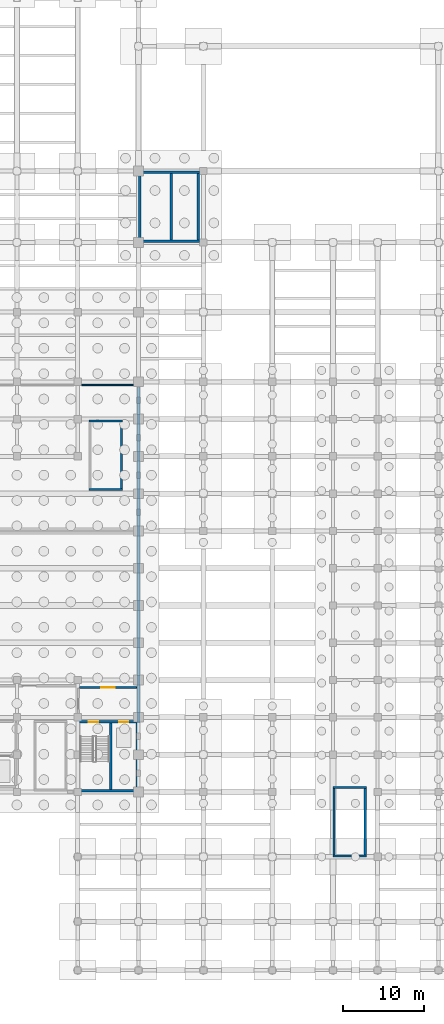
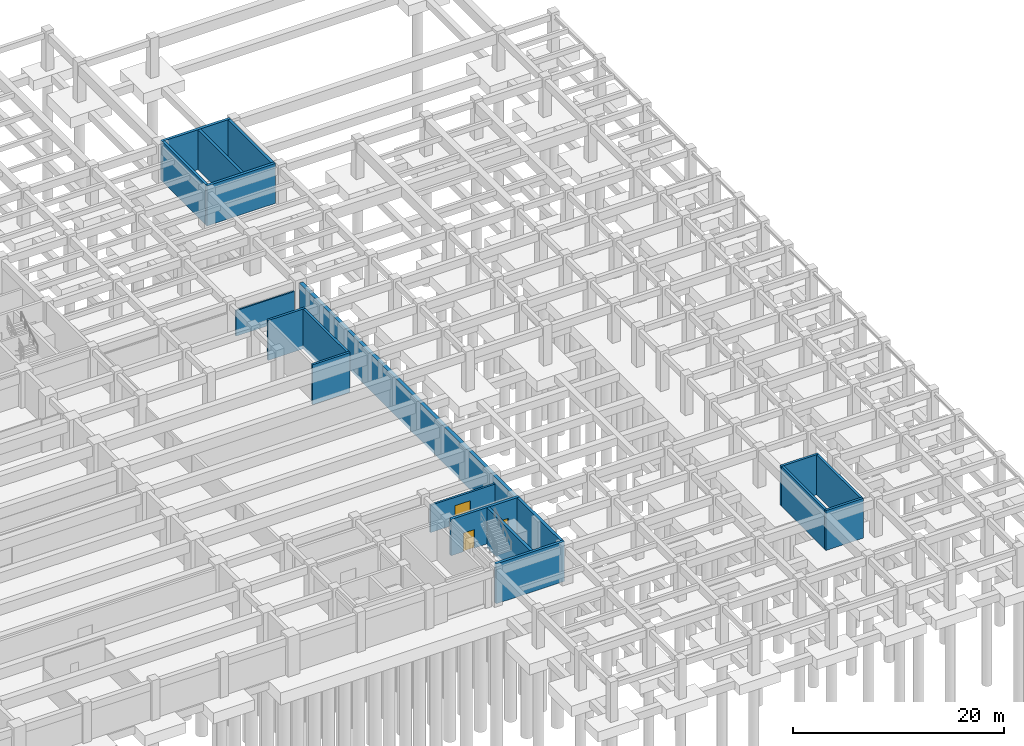
# One storey, part 26 of 32: 19 walls, 3 doors, 3 openings.
"""IFC4 building model written with IfcOpenShell, lengths in metres."""

from ifc_helpers import new_model, si_unit, direction, frame, frame_2d, origin, place, context, subcontext, project, spatial, rectangle, extrude, material, layer, layer_set, type_object, element, fill, save


model = new_model("IFC4")

# Units and contexts
model_context = context("Model", 3, precision=1e-05, world=origin(), true_north=direction((0.0, 1.0)))
body_context = subcontext(model_context, "Body", "Model", "MODEL_VIEW")
ifc_project = project(units=[si_unit("LENGTHUNIT", "METRE"), si_unit("AREAUNIT", "SQUARE_METRE"), si_unit("VOLUMEUNIT", "CUBIC_METRE"), si_unit("PLANEANGLEUNIT", "RADIAN"), si_unit("MASSUNIT", "GRAM", prefix="KILO")], contexts=[model_context])

# Site, building, storey
site_placement = place(None, origin())
site = spatial("IfcSite", under=ifc_project, at=site_placement, CompositionType="ELEMENT")
building_placement = place(site_placement, origin())
building = spatial("IfcBuilding", under=site, at=building_placement, Name="Muzn Square Opera House", CompositionType="ELEMENT")
storey_placement = place(building_placement, frame((0.0, 0.0, -4.199951171875)))
storey = spatial("IfcBuildingStorey", under=building, at=storey_placement, Name="B1", CompositionType="ELEMENT", Elevation=-4.199951171875)

# Walls
ifc_material_1 = material(Name="Concrete C45/55", Category="concrete")
ifc_layer_1 = layer(ifc_material_1, 0.3798828125, Name="Concrete C45/55", Category="concrete")
ifc_layer_set_1 = layer_set([ifc_layer_1], Name="Concrete C45/55")
wall_type_1 = type_object("IfcWallType", Name="Basement Retaining Wall 380mm", PredefinedType="SHEAR", material=ifc_layer_set_1)
wall_1_placement = place(storey_placement, frame((133.0, 30.52001953125, -0.420166015625), z_axis=(0.0, 0.0, 1.0), x_axis=(0.0, 1.0, 0.0)))
element("IfcWall", 1, at=wall_1_placement, inside=storey, type_object=wall_type_1, Name="Basement Retaining Wall RET-B1-ES", PredefinedType="SHEAR", context=body_context, shape_type="SweptSolid", body=[
    extrude(rectangle(XDim=41.429931640625, YDim=0.3798828125, at=frame_2d((20.71484375, 0.0))), origin(), (0.0, 0.0, 1.0), 4.300048828125),
])
ifc_layer_2 = layer(ifc_material_1, 0.300048828125, Name="Concrete C45/55", Category="concrete")
ifc_layer_set_2 = layer_set([ifc_layer_2], Name="Concrete C45/55")
wall_type_2 = type_object("IfcWallType", Name="Core Shear Wall 300mm", PredefinedType="SHEAR", material=ifc_layer_set_2)
wall_2_placement = place(storey_placement, frame((125.5, 22.14990234375, -0.420166015625), z_axis=(0.0, 0.0, 1.0), x_axis=(1.0, 0.0, 0.0)))
element("IfcWall", 2, at=wall_2_placement, inside=storey, type_object=wall_type_2, Name="Core C4 Shear Wall SW-C4-B1-S", PredefinedType="SHEAR", context=body_context, shape_type="SweptSolid", body=[
    extrude(rectangle(XDim=7.5, YDim=0.300048828125, at=frame_2d((3.75, 0.0))), origin(), (0.0, 0.0, 1.0), 4.6201171875),
])
for number, where, z_axis, x_axis, name in (
    (3, (132.85009765625, 22.300048828125, -0.420166015625), (0.0, 0.0, 1.0), (0.0, 1.0, 0.0), "Core C4 Shear Wall SW-C4-B1-E"),
    (4, (129.550048828125, 22.300048828125, -0.420166015625), (0.0, 0.0, 1.0), (0.0, 1.0, 0.0), "Core C4 Shear Wall SW-C4-B1-DIV"),
):
    element("IfcWall", number, at=place(storey_placement, frame(where, z_axis=z_axis, x_axis=x_axis)), inside=storey, type_object=wall_type_2, Name=name, PredefinedType="SHEAR", context=body_context, shape_type="SweptSolid", body=[
        extrude(rectangle(XDim=8.199951171875, YDim=0.300048828125, at=frame_2d((4.10009765625, 0.0))), origin(), (0.0, 0.0, 1.0), 4.6201171875),
    ])
wall_3_placement = place(storey_placement, frame((133.0, 98.449951171875, -0.420166015625), z_axis=(0.0, 0.0, 1.0), x_axis=(1.0, 0.0, 0.0)))
element("IfcWall", 5, at=wall_3_placement, inside=storey, type_object=wall_type_2, Name="Core C5 Shear Wall SW-C5-B1-N", PredefinedType="SHEAR", context=body_context, shape_type="SweptSolid", body=[
    extrude(rectangle(XDim=7.5, YDim=0.300048828125, at=frame_2d((3.75, 0.0))), origin(), (0.0, 0.0, 1.0), 4.6201171875),
])
for number, where, z_axis, x_axis, name in (
    (6, (133.14990234375, 90.10009765625, -0.420166015625), (0.0, 0.0, 1.0), (0.0, 1.0, 0.0), "Core C5 Shear Wall SW-C5-B1-W"),
    (7, (140.35009765625, 90.10009765625, -0.420166015625), (0.0, 0.0, 1.0), (0.0, 1.0, 0.0), "Core C5 Shear Wall SW-C5-B1-E"),
    (8, (137.050048828125, 90.10009765625, -0.420166015625), (0.0, 0.0, 1.0), (0.0, 1.0, 0.0), "Core C5 Shear Wall SW-C5-B1-DIV"),
):
    element("IfcWall", number, at=place(storey_placement, frame(where, z_axis=z_axis, x_axis=x_axis)), inside=storey, type_object=wall_type_2, Name=name, PredefinedType="SHEAR", context=body_context, shape_type="SweptSolid", body=[
        extrude(rectangle(XDim=8.199951171875, YDim=0.300048828125, at=frame_2d((4.10009765625, 0.0))), origin(), (0.0, 0.0, 1.0), 4.6201171875),
    ])
wall_4_placement = place(storey_placement, frame((133.0, 89.949951171875, -0.420166015625), z_axis=(0.0, 0.0, 1.0), x_axis=(1.0, 0.0, 0.0)))
element("IfcWall", 9, at=wall_4_placement, inside=storey, type_object=wall_type_2, Name="Core C5 Shear Wall SW-C5-B1-FRONT", PredefinedType="SHEAR", context=body_context, shape_type="SweptSolid", body=[
    extrude(rectangle(XDim=7.5, YDim=0.300048828125, at=frame_2d((3.75, 0.0))), origin(), (0.0, 0.0, 1.0), 4.6201171875),
])
wall_5_placement = place(storey_placement, frame((157.0, 14.125, -0.420166015625), z_axis=(0.0, 0.0, 1.0), x_axis=(1.0, 0.0, 0.0)))
element("IfcWall", 10, at=wall_5_placement, inside=storey, type_object=wall_type_2, Name="Escape Stair ST-8 Substructure Wall S", PredefinedType="SHEAR", context=body_context, shape_type="SweptSolid", body=[
    extrude(rectangle(XDim=4.10009765625, YDim=0.25, at=frame_2d((2.050048828125, 0.0))), origin(), (0.0, 0.0, 1.0), 4.6201171875),
])
for number, where, z_axis, x_axis, name in (
    (11, (157.125, 14.25, -0.420166015625), (0.0, 0.0, 1.0), (0.0, 1.0, 0.0), "Escape Stair ST-8 Substructure Wall W"),
    (12, (160.97509765625, 14.25, -0.420166015625), (0.0, 0.0, 1.0), (0.0, 1.0, 0.0), "Escape Stair ST-8 Substructure Wall E"),
):
    element("IfcWall", number, at=place(storey_placement, frame(where, z_axis=z_axis, x_axis=x_axis)), inside=storey, type_object=wall_type_2, Name=name, PredefinedType="SHEAR", context=body_context, shape_type="SweptSolid", body=[
        extrude(rectangle(XDim=8.199951171875, YDim=0.25, at=frame_2d((4.10009765625, 0.0))), origin(), (0.0, 0.0, 1.0), 4.6201171875),
    ])
for number, where, z_axis, x_axis, name in (
    (13, (157.0, 22.574951171875, -0.420166015625), (0.0, 0.0, 1.0), (1.0, 0.0, 0.0), "Escape Stair ST-8 Substructure Wall N"),
    (14, (126.89990234375, 59.324951171875, -0.420166015625), (0.0, 0.0, 1.0), (1.0, 0.0, 0.0), "Escape Stair ST-10 Substructure Wall S"),
):
    element("IfcWall", number, at=place(storey_placement, frame(where, z_axis=z_axis, x_axis=x_axis)), inside=storey, type_object=wall_type_2, Name=name, PredefinedType="SHEAR", context=body_context, shape_type="SweptSolid", body=[
        extrude(rectangle(XDim=4.10009765625, YDim=0.25, at=frame_2d((2.050048828125, 0.0))), origin(), (0.0, 0.0, 1.0), 4.6201171875),
    ])
wall_6_placement = place(storey_placement, frame((130.875, 59.449951171875, -0.420166015625), z_axis=(0.0, 0.0, 1.0), x_axis=(0.0, 1.0, 0.0)))
element("IfcWall", 15, at=wall_6_placement, inside=storey, type_object=wall_type_2, Name="Escape Stair ST-10 Substructure Wall E", PredefinedType="SHEAR", context=body_context, shape_type="SweptSolid", body=[
    extrude(rectangle(XDim=8.199951171875, YDim=0.25, at=frame_2d((4.10009765625, 0.0))), origin(), (0.0, 0.0, 1.0), 4.6201171875),
])
wall_7_placement = place(storey_placement, frame((126.89990234375, 67.77490234375, -0.420166015625), z_axis=(0.0, 0.0, 1.0), x_axis=(1.0, 0.0, 0.0)))
element("IfcWall", 16, at=wall_7_placement, inside=storey, type_object=wall_type_2, Name="Escape Stair ST-10 Substructure Wall N", PredefinedType="SHEAR", context=body_context, shape_type="SweptSolid", body=[
    extrude(rectangle(XDim=4.10009765625, YDim=0.25, at=frame_2d((2.050048828125, 0.0))), origin(), (0.0, 0.0, 1.0), 4.6201171875),
])

# Wall, openings, doors
wall_8_placement = place(storey_placement, frame((125.5, 30.64990234375, 0.0), z_axis=(0.0, 0.0, 1.0), x_axis=(1.0, 0.0, 0.0)))
wall_8 = element("IfcWall", 17, at=wall_8_placement, inside=storey, type_object=wall_type_2, Name="Core C4 Front Shear Wall B1", PredefinedType="SHEAR", context=body_context, shape_type="SweptSolid", body=[
    extrude(rectangle(XDim=7.5, YDim=0.300048828125, at=frame_2d((3.75, 0.0))), origin(), (0.0, 0.0, 1.0), 4.199951171875),
])
opening_1_placement = place(wall_8_placement, frame((1.35009765625, 0.0, 0.0)))
opening_1 = element("IfcOpeningElement", 18, at=opening_1_placement, cuts=wall_8, Name="Opening DR-ST12", PredefinedType="OPENING", context=body_context, shape_type="SweptSolid", body=[
    extrude(rectangle(XDim=1.199951171875, YDim=2.14990234375, at=frame_2d((0.60009765625, 1.074951171875))), frame((0.0, 0.159912109375, 0.0), z_axis=(0.0, -1.0, 0.0), x_axis=(1.0, 0.0, 0.0)), (0.0, 0.0, 1.0), 0.320068359375),
])
opening_2_placement = place(wall_8_placement, frame((5.14990234375, 0.0, 0.0)))
opening_2 = element("IfcOpeningElement", 19, at=opening_2_placement, cuts=wall_8, Name="Opening LD-01", PredefinedType="OPENING", context=body_context, shape_type="SweptSolid", body=[
    extrude(rectangle(XDim=1.10009765625, YDim=2.14990234375, at=frame_2d((0.550048828125, 1.074951171875))), frame((0.0, 0.159912109375, 0.0), z_axis=(0.0, -1.0, 0.0), x_axis=(1.0, 0.0, 0.0)), (0.0, 0.0, 1.0), 0.320068359375),
])
ifc_material_2 = material(Name="Galvanised painted steel leaf", Category="metal")
door_type_1 = type_object("IfcDoorType", Name="Core Stair Fire Door 1200x2150", OperationType="NOTDEFINED", PredefinedType="DOOR", material=ifc_material_2)
door_1_placement = place(opening_1_placement, origin())
door_1 = element("IfcDoor", 20, at=door_1_placement, inside=storey, type_object=door_type_1, Name="Core C4 Stair Door B1", OperationType="SINGLE_SWING_LEFT", OverallHeight=2.14990234375, OverallWidth=1.199951171875, PredefinedType="DOOR", context=body_context, shape_type="SweptSolid", body=[
    extrude(rectangle(XDim=1.199951171875, YDim=2.14990234375, at=frame_2d((0.60009765625, 1.074951171875))), frame((0.0, 0.02490234375, 0.0), z_axis=(0.0, -1.0, 0.0), x_axis=(1.0, 0.0, 0.0)), (0.0, 0.0, 1.0), 0.050048828125),
])
fill(opening_1, door_1)
ifc_material_3 = material(Name="Brushed stainless steel", Category="metal")
door_type_2 = type_object("IfcDoorType", Name="Lift Landing Sliding Door 1100x2150", OperationType="SLIDING_TO_LEFT", PredefinedType="DOOR", material=ifc_material_3)
door_2_placement = place(opening_2_placement, origin())
door_2 = element("IfcDoor", 21, at=door_2_placement, inside=storey, type_object=door_type_2, Name="Lift PL-3 Sliding Landing Door B1", OperationType="SLIDING_TO_LEFT", OverallHeight=2.14990234375, OverallWidth=1.10009765625, PredefinedType="DOOR", context=body_context, shape_type="SweptSolid", body=[
    extrude(rectangle(XDim=1.10009765625, YDim=2.14990234375, at=frame_2d((0.550048828125, 1.074951171875))), frame((0.0, 0.02490234375, 0.0), z_axis=(0.0, -1.0, 0.0), x_axis=(1.0, 0.0, 0.0)), (0.0, 0.0, 1.0), 0.050048828125),
])
fill(opening_2, door_2)

# Wall, opening, door
ifc_material_4 = material(Name="Concrete C40/50", Category="concrete")
ifc_layer_3 = layer(ifc_material_4, 0.219970703125, Name="Concrete C40/50", Category="concrete")
ifc_layer_set_3 = layer_set([ifc_layer_3], Name="Concrete C40/50")
wall_type_3 = type_object("IfcWallType", Name="Lift Lobby Wall 220mm", PredefinedType="SOLIDWALL", material=ifc_layer_set_3)
wall_9_placement = place(storey_placement, frame((125.719970703125, 34.889892578125, 0.0), z_axis=(0.0, 0.0, 1.0), x_axis=(1.0, 0.0, 0.0)))
wall_9 = element("IfcWall", 22, at=wall_9_placement, inside=storey, type_object=wall_type_3, Name="Lobby C4 Enclosure Wall B1", PredefinedType="SOLIDWALL", context=body_context, shape_type="SweptSolid", body=[
    extrude(rectangle(XDim=7.06005859375, YDim=0.219970703125, at=frame_2d((3.530029296875, 0.0))), origin(), (0.0, 0.0, 1.0), 3.159912109375),
])
opening_3_placement = place(wall_9_placement, frame((2.679931640625, 0.0, 0.0)))
opening_3 = element("IfcOpeningElement", 23, at=opening_3_placement, cuts=wall_9, Name="Opening DR-LL17", PredefinedType="OPENING", context=body_context, shape_type="SweptSolid", body=[
    extrude(rectangle(XDim=1.699951171875, YDim=2.179931640625, at=frame_2d((0.85009765625, 1.08984375))), frame((0.0, 0.119873046875, 0.0), z_axis=(0.0, -1.0, 0.0), x_axis=(1.0, 0.0, 0.0)), (0.0, 0.0, 1.0), 0.239990234375),
])
ifc_material_5 = material(Name="Acoustic hardwood leaf", Category="wood")
door_type_3 = type_object("IfcDoorType", Name="Lift Lobby Double Door 1700x2180", OperationType="DOUBLE_DOOR_SINGLE_SWING", PredefinedType="DOOR", material=ifc_material_5)
door_3_placement = place(opening_3_placement, origin())
door_3 = element("IfcDoor", 24, at=door_3_placement, inside=storey, type_object=door_type_3, Name="Lobby C4 Fire Door B1", OperationType="DOUBLE_DOOR_SINGLE_SWING", OverallHeight=2.179931640625, OverallWidth=1.699951171875, PredefinedType="DOOR", context=body_context, shape_type="SweptSolid", body=[
    extrude(rectangle(XDim=1.699951171875, YDim=2.179931640625, at=frame_2d((0.85009765625, 1.08984375))), frame((0.0, 0.02490234375, 0.0), z_axis=(0.0, -1.0, 0.0), x_axis=(1.0, 0.0, 0.0)), (0.0, 0.0, 1.0), 0.050048828125),
])
fill(opening_3, door_3)

# Wall
ifc_material_6 = material(Name="Acoustic gypsum stud partition", Category="gypsum")
ifc_layer_4 = layer(ifc_material_6, 0.159912109375, Name="Acoustic gypsum stud partition", Category="gypsum")
ifc_layer_set_4 = layer_set([ifc_layer_4], Name="Acoustic gypsum stud partition")
wall_type_4 = type_object("IfcWallType", Name="Workshop Rated Partition 160mm", PredefinedType="PARTITIONING", material=ifc_layer_set_4)
wall_10_placement = place(storey_placement, frame((125.969970703125, 72.199951171875, 0.0), z_axis=(0.0, 0.0, 1.0), x_axis=(1.0, 0.0, 0.0)))
element("IfcWall", 25, at=wall_10_placement, inside=storey, type_object=wall_type_4, Name="Room Enclosure Partition PW-B1-0029", PredefinedType="PARTITIONING", context=body_context, shape_type="SweptSolid", body=[
    extrude(rectangle(XDim=6.409912109375, YDim=0.159912109375, at=frame_2d((3.205078125, 0.0))), origin(), (0.0, 0.0, 1.0), 2.9599609375),
])

save(model, "model.ifc")
